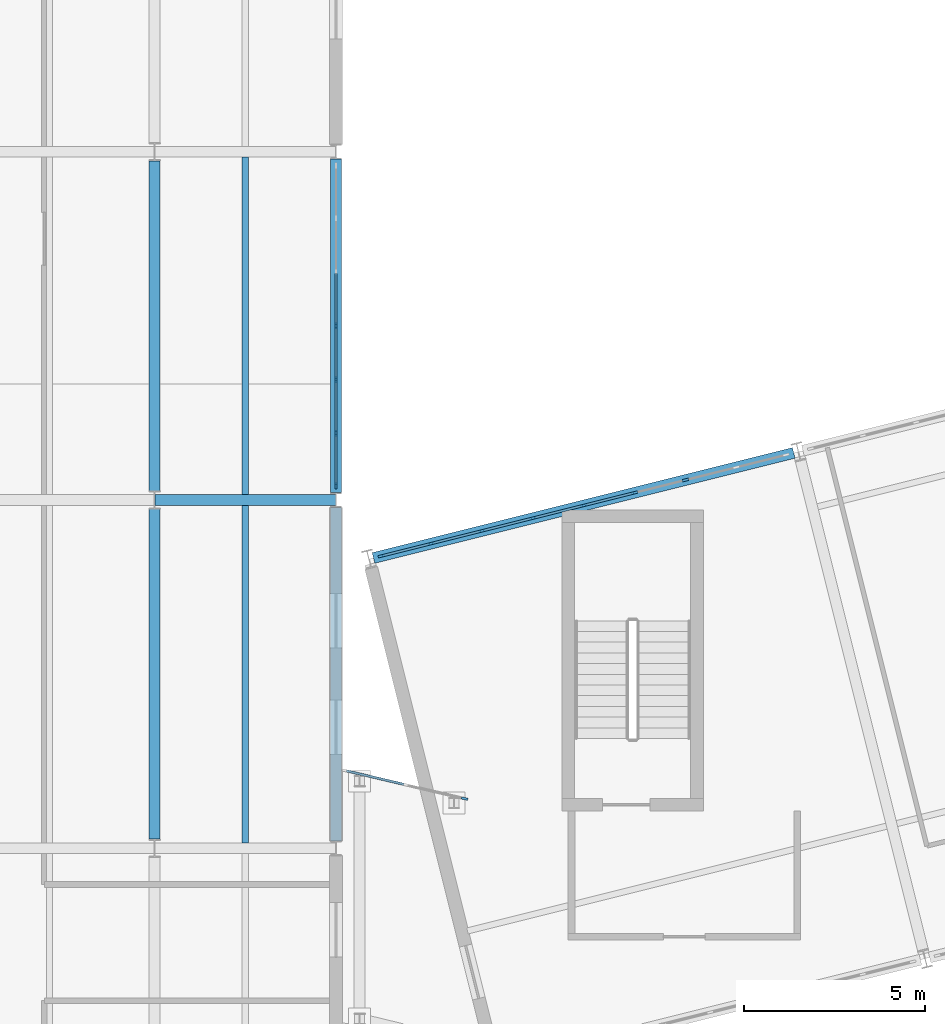
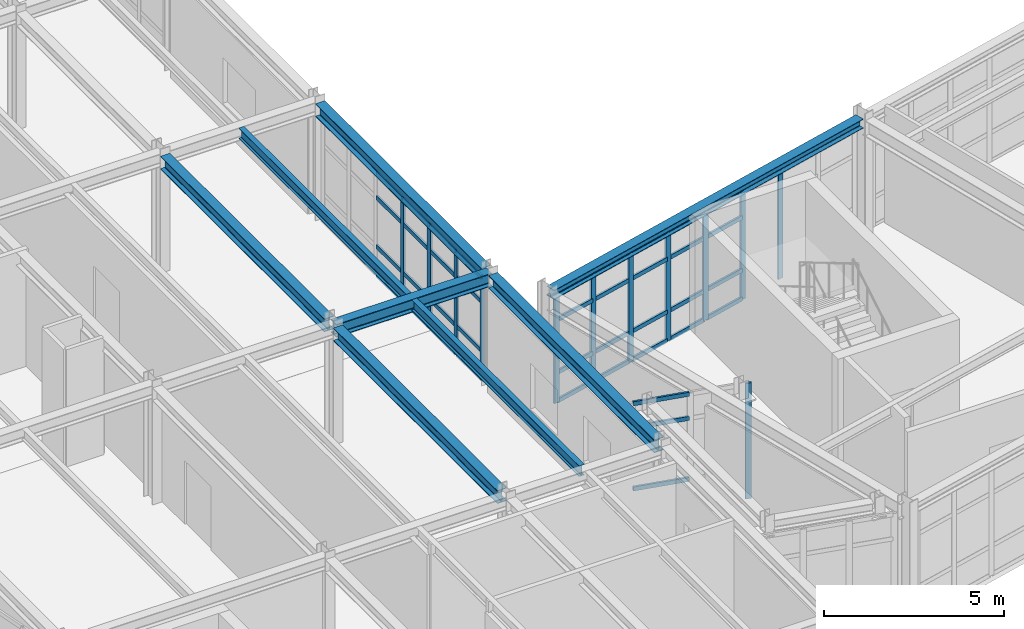
# One storey, part 18 of 88: 51 members, 8 beams, 3 elements without a shape of their own.
"""IFC4 building model written with IfcOpenShell, lengths in metres."""

from ifc_helpers import new_model, si_unit, direction, frame, origin, origin_2d, place, context, subcontext, project, spatial, rectangle, i_section, extrude, material, layer, layer_set, material_profile, profile_set, type_object, element, aggregate, save


model = new_model("IFC4")

# Units and contexts
model_context = context("Model", 3, precision=1e-05, world=origin(), true_north=direction((0.0, 1.0)))
body_context = subcontext(model_context, "Body", "Model", "MODEL_VIEW")
ifc_project = project(units=[si_unit("LENGTHUNIT", "METRE"), si_unit("AREAUNIT", "SQUARE_METRE"), si_unit("VOLUMEUNIT", "CUBIC_METRE"), si_unit("PLANEANGLEUNIT", "RADIAN"), si_unit("MASSUNIT", "GRAM", prefix="KILO")], contexts=[model_context])

# Site, building, storey
site_placement = place(None, origin())
site = spatial("IfcSite", under=ifc_project, at=site_placement, CompositionType="ELEMENT")
building_placement = place(site_placement, origin())
building = spatial("IfcBuilding", under=site, at=building_placement, Name="Nordkorset Police Headquarters", CompositionType="ELEMENT")
storey_placement = place(building_placement, frame((0.0, 0.0, 9.449951171875)))
storey = spatial("IfcBuildingStorey", under=building, at=storey_placement, Name="L02", CompositionType="ELEMENT", Elevation=9.449951171875)

# Beams
ifc_material_1 = material(Name="Steel S355J2", Category="steel")
ifc_material_profile_1 = material_profile(ifc_material_1, i_section(OverallWidth=0.169921875, OverallDepth=0.360107421875, WebThickness=0.008056640625, FlangeThickness=0.0126953125, FilletRadius=0.01806640625, at=origin_2d()), Name="IPE 360")
ifc_profile_set_1 = profile_set([ifc_material_profile_1], Name="Steel S355J2")
beam_type_1 = type_object("IfcBeamType", Name="Beam_IPE_360", PredefinedType="BEAM", material=ifc_profile_set_1)
for number, where, z_axis, x_axis, name in (
    (1, (16.699951171875, 48.14990234375, 3.7900390625), (0.0, 1.0, 0.0), (-1.0, 0.0, 0.0), "Composite Floor Beam V3 L02 2-2-1"),
    (2, (16.699951171875, 57.75, 3.7900390625), (0.0, 1.0, 0.0), (-1.0, 0.0, 0.0), "Composite Floor Beam V3 L02 2-3-1"),
):
    element("IfcBeam", number, at=place(storey_placement, frame(where, z_axis=z_axis, x_axis=x_axis)), inside=storey, type_object=beam_type_1, Name=name, PredefinedType="BEAM", context=body_context, shape_type="SweptSolid", body=[
        extrude(i_section(OverallWidth=0.169921875, OverallDepth=0.360107421875, WebThickness=0.008056640625, FlangeThickness=0.0126953125, FilletRadius=0.01806640625, at=origin_2d()), origin(), (0.0, 0.0, 1.0), 9.300048828125),
    ])

# Curtain wall, members
ifc_material_2 = material(Name="Aluminium alloy AW-6060", Category="aluminium")
ifc_layer_1 = layer(ifc_material_2, 0.179931640625, Name="Aluminium alloy AW-6060")
ifc_layer_set_1 = layer_set([ifc_layer_1], Name="Aluminium alloy AW-6060")
curtain_wall_type_1 = type_object("IfcCurtainWallType", Name="CW_Unit_888x351", PredefinedType="USERDEFINED", material=ifc_layer_set_1)
curtain_wall_1_placement = place(storey_placement, origin())
curtain_wall_1 = element("IfcCurtainWall", 3, at=curtain_wall_1_placement, inside=storey, type_object=curtain_wall_type_1, Name="Unitised Curtain Wall L02 V3E-3", ObjectType="UNITISED CURTAIN WALL", PredefinedType="USERDEFINED")
ifc_material_3 = material(Name="Aluminium alloy AW-6060", Category="aluminium")
ifc_material_profile_2 = material_profile(ifc_material_3, rectangle(XDim=0.06494140625, YDim=0.179931640625, at=origin_2d()), Name="ALU MULL 65x180")
ifc_profile_set_2 = profile_set([ifc_material_profile_2], Name="Aluminium alloy AW-6060")
member_type_1 = type_object("IfcMemberType", Name="CW_Mullion_65x180", PredefinedType="MULLION", material=ifc_profile_set_2)
member_1_placement = place(storey_placement, frame((19.199951171875, 57.992431640625, 0.0), z_axis=(0.0, 0.0, 1.0), x_axis=(-1.0, 0.0, 0.0)))
member_1 = element("IfcMember", 4, at=member_1_placement, type_object=member_type_1, Name="CW-58 mullion 1", PredefinedType="MULLION", context=body_context, shape_type="SweptSolid", body=[
    extrude(rectangle(XDim=0.06494140625, YDim=0.179931640625, at=origin_2d()), origin(), (0.0, 0.0, 1.0), 3.510009765625),
])
member_2_placement = place(storey_placement, frame((19.199951171875, 59.43994140625, 0.0), z_axis=(0.0, 0.0, 1.0), x_axis=(-1.0, 0.0, 0.0)))
member_2 = element("IfcMember", 5, at=member_2_placement, type_object=member_type_1, Name="CW-58 mullion 2", PredefinedType="MULLION", context=body_context, shape_type="SweptSolid", body=[
    extrude(rectangle(XDim=0.06494140625, YDim=0.179931640625, at=origin_2d()), origin(), (0.0, 0.0, 1.0), 3.510009765625),
])
member_3_placement = place(storey_placement, frame((19.199951171875, 60.919921875, 0.0), z_axis=(0.0, 0.0, 1.0), x_axis=(-1.0, 0.0, 0.0)))
member_3 = element("IfcMember", 6, at=member_3_placement, type_object=member_type_1, Name="CW-58 mullion 3", PredefinedType="MULLION", context=body_context, shape_type="SweptSolid", body=[
    extrude(rectangle(XDim=0.06494140625, YDim=0.179931640625, at=origin_2d()), origin(), (0.0, 0.0, 1.0), 3.510009765625),
])
member_4_placement = place(storey_placement, frame((19.199951171875, 62.39990234375, 0.0), z_axis=(0.0, 0.0, 1.0), x_axis=(-1.0, 0.0, 0.0)))
member_4 = element("IfcMember", 7, at=member_4_placement, type_object=member_type_1, Name="CW-58 mullion 4", PredefinedType="MULLION", context=body_context, shape_type="SweptSolid", body=[
    extrude(rectangle(XDim=0.06494140625, YDim=0.179931640625, at=origin_2d()), origin(), (0.0, 0.0, 1.0), 3.510009765625),
])

ifc_material_4 = material(Name="Aluminium alloy AW-6060", Category="aluminium")
ifc_layer_2 = layer(ifc_material_4, 0.179931640625, Name="Aluminium alloy AW-6060")
ifc_layer_set_2 = layer_set([ifc_layer_2], Name="Aluminium alloy AW-6060")
curtain_wall_type_2 = type_object("IfcCurtainWallType", Name="CW_Unit_1156x364", PredefinedType="USERDEFINED", material=ifc_layer_set_2)
curtain_wall_2_placement = place(storey_placement, origin())
curtain_wall_2 = element("IfcCurtainWall", 8, at=curtain_wall_2_placement, inside=storey, type_object=curtain_wall_type_2, Name="Unitised Curtain Wall L02 V4N-0", ObjectType="UNITISED CURTAIN WALL", PredefinedType="USERDEFINED")
member_5_placement = place(storey_placement, frame((20.449462890625, 56.0556640625, 0.0), z_axis=(0.0, 0.0, 1.0), x_axis=(-0.242536235663, 0.970142347489, 0.0)))
member_5 = element("IfcMember", 9, at=member_5_placement, type_object=member_type_1, Name="CW-103 mullion 1", PredefinedType="MULLION", context=body_context, shape_type="SweptSolid", body=[
    extrude(rectangle(XDim=0.06494140625, YDim=0.179931640625, at=origin_2d()), origin(), (0.0, 0.0, 1.0), 3.64013671875),
])
member_6_placement = place(storey_placement, frame((21.81982421875, 56.398193359375, 0.0), z_axis=(0.0, 0.0, 1.0), x_axis=(-0.242536235663, 0.970142347489, 0.0)))
member_6 = element("IfcMember", 10, at=member_6_placement, type_object=member_type_1, Name="CW-103 mullion 2", PredefinedType="MULLION", context=body_context, shape_type="SweptSolid", body=[
    extrude(rectangle(XDim=0.06494140625, YDim=0.179931640625, at=origin_2d()), origin(), (0.0, 0.0, 1.0), 3.64013671875),
])
member_7_placement = place(storey_placement, frame((23.2216796875, 56.74853515625, 0.0), z_axis=(0.0, 0.0, 1.0), x_axis=(-0.242536235663, 0.970142347489, 0.0)))
member_7 = element("IfcMember", 11, at=member_7_placement, type_object=member_type_1, Name="CW-103 mullion 3", PredefinedType="MULLION", context=body_context, shape_type="SweptSolid", body=[
    extrude(rectangle(XDim=0.06494140625, YDim=0.179931640625, at=origin_2d()), origin(), (0.0, 0.0, 1.0), 3.64013671875),
])
member_8_placement = place(storey_placement, frame((24.62353515625, 57.09912109375, 0.0), z_axis=(0.0, 0.0, 1.0), x_axis=(-0.242536235663, 0.970142347489, 0.0)))
member_8 = element("IfcMember", 12, at=member_8_placement, type_object=member_type_1, Name="CW-103 mullion 4", PredefinedType="MULLION", context=body_context, shape_type="SweptSolid", body=[
    extrude(rectangle(XDim=0.06494140625, YDim=0.179931640625, at=origin_2d()), origin(), (0.0, 0.0, 1.0), 3.64013671875),
])
member_9_placement = place(storey_placement, frame((26.025390625, 57.449462890625, 0.0), z_axis=(0.0, 0.0, 1.0), x_axis=(-0.242536235663, 0.970142347489, 0.0)))
member_9 = element("IfcMember", 13, at=member_9_placement, type_object=member_type_1, Name="CW-103 mullion 5", PredefinedType="MULLION", context=body_context, shape_type="SweptSolid", body=[
    extrude(rectangle(XDim=0.06494140625, YDim=0.179931640625, at=origin_2d()), origin(), (0.0, 0.0, 1.0), 3.64013671875),
])
member_10_placement = place(storey_placement, frame((27.42724609375, 57.800048828125, 0.0), z_axis=(0.0, 0.0, 1.0), x_axis=(-0.242536235663, 0.970142347489, 0.0)))
member_10 = element("IfcMember", 14, at=member_10_placement, type_object=member_type_1, Name="CW-103 mullion 6", PredefinedType="MULLION", context=body_context, shape_type="SweptSolid", body=[
    extrude(rectangle(XDim=0.06494140625, YDim=0.179931640625, at=origin_2d()), origin(), (0.0, 0.0, 1.0), 3.64013671875),
])
member_11_placement = place(storey_placement, frame((28.8291015625, 58.150390625, 0.0), z_axis=(0.0, 0.0, 1.0), x_axis=(-0.242536235663, 0.970142347489, 0.0)))
member_11 = element("IfcMember", 15, at=member_11_placement, type_object=member_type_1, Name="CW-103 mullion 7", PredefinedType="MULLION", context=body_context, shape_type="SweptSolid", body=[
    extrude(rectangle(XDim=0.06494140625, YDim=0.179931640625, at=origin_2d()), origin(), (0.0, 0.0, 1.0), 3.64013671875),
])

# Curtain wall, member
ifc_material_5 = material(Name="Aluminium alloy AW-6060", Category="aluminium")
ifc_layer_3 = layer(ifc_material_5, 0.179931640625, Name="Aluminium alloy AW-6060")
ifc_layer_set_3 = layer_set([ifc_layer_3], Name="Aluminium alloy AW-6060")
curtain_wall_type_3 = type_object("IfcCurtainWallType", Name="CW_Unit_344x392", PredefinedType="USERDEFINED", material=ifc_layer_set_3)
curtain_wall_3_placement = place(storey_placement, origin())
curtain_wall_3 = element("IfcCurtainWall", 16, at=curtain_wall_3_placement, inside=storey, type_object=curtain_wall_type_3, Name="Unitised Curtain Wall L02 BRGW-N", ObjectType="UNITISED CURTAIN WALL", PredefinedType="USERDEFINED")
member_12_placement = place(storey_placement, frame((22.7431640625, 49.36865234375, 0.0), z_axis=(0.0, 0.0, 1.0), x_axis=(0.228892896387, 0.973451612554, 0.0)))
member_12 = element("IfcMember", 17, at=member_12_placement, type_object=member_type_1, Name="CW-51 mullion 3", PredefinedType="MULLION", context=body_context, shape_type="SweptSolid", body=[
    extrude(rectangle(XDim=0.06494140625, YDim=0.179931640625, at=origin_2d()), origin(), (0.0, 0.0, 1.0), 3.920166015625),
])

# Member
ifc_material_6 = material(Name="Aluminium alloy AW-6060", Category="aluminium")
ifc_material_profile_3 = material_profile(ifc_material_6, rectangle(XDim=0.06494140625, YDim=0.139892578125, at=origin_2d()), Name="ALU TRAN 65x140")
ifc_profile_set_3 = profile_set([ifc_material_profile_3], Name="Aluminium alloy AW-6060")
member_type_2 = type_object("IfcMemberType", Name="CW_Transom_65x140", PredefinedType="USERDEFINED", material=ifc_profile_set_3)
member_13_placement = place(storey_placement, frame((19.199951171875, 58.02490234375, 0.032470703125), z_axis=(0.0, 1.0, 0.0), x_axis=(-1.0, 0.0, 0.0)))
member_13 = element("IfcMember", 18, at=member_13_placement, type_object=member_type_2, Name="CW-58 transom 1.1", ObjectType="TRANSOM", PredefinedType="USERDEFINED", context=body_context, shape_type="SweptSolid", body=[
    extrude(rectangle(XDim=0.06494140625, YDim=0.139892578125, at=origin_2d()), origin(), (0.0, 0.0, 1.0), 1.382568359375),
])

member_14_placement = place(storey_placement, frame((19.199951171875, 58.02490234375, 1.0), z_axis=(0.0, 1.0, 0.0), x_axis=(-1.0, 0.0, 0.0)))
member_14 = element("IfcMember", 19, at=member_14_placement, type_object=member_type_2, Name="CW-58 transom 1.2", ObjectType="TRANSOM", PredefinedType="USERDEFINED", context=body_context, shape_type="SweptSolid", body=[
    extrude(rectangle(XDim=0.06494140625, YDim=0.139892578125, at=origin_2d()), origin(), (0.0, 0.0, 1.0), 1.382568359375),
])

member_15_placement = place(storey_placement, frame((19.199951171875, 58.02490234375, 2.66015625), z_axis=(0.0, 1.0, 0.0), x_axis=(-1.0, 0.0, 0.0)))
member_15 = element("IfcMember", 20, at=member_15_placement, type_object=member_type_2, Name="CW-58 transom 1.3", ObjectType="TRANSOM", PredefinedType="USERDEFINED", context=body_context, shape_type="SweptSolid", body=[
    extrude(rectangle(XDim=0.06494140625, YDim=0.139892578125, at=origin_2d()), origin(), (0.0, 0.0, 1.0), 1.382568359375),
])

member_16_placement = place(storey_placement, frame((19.199951171875, 58.02490234375, 3.4775390625), z_axis=(0.0, 1.0, 0.0), x_axis=(-1.0, 0.0, 0.0)))
member_16 = element("IfcMember", 21, at=member_16_placement, type_object=member_type_2, Name="CW-58 transom 1.4", ObjectType="TRANSOM", PredefinedType="USERDEFINED", context=body_context, shape_type="SweptSolid", body=[
    extrude(rectangle(XDim=0.06494140625, YDim=0.139892578125, at=origin_2d()), origin(), (0.0, 0.0, 1.0), 1.382568359375),
])

member_17_placement = place(storey_placement, frame((19.199951171875, 59.472412109375, 0.032470703125), z_axis=(0.0, 1.0, 0.0), x_axis=(-1.0, 0.0, 0.0)))
member_17 = element("IfcMember", 22, at=member_17_placement, type_object=member_type_2, Name="CW-58 transom 2.1", ObjectType="TRANSOM", PredefinedType="USERDEFINED", context=body_context, shape_type="SweptSolid", body=[
    extrude(rectangle(XDim=0.06494140625, YDim=0.139892578125, at=origin_2d()), origin(), (0.0, 0.0, 1.0), 1.4150390625),
])

member_18_placement = place(storey_placement, frame((19.199951171875, 59.472412109375, 1.0), z_axis=(0.0, 1.0, 0.0), x_axis=(-1.0, 0.0, 0.0)))
member_18 = element("IfcMember", 23, at=member_18_placement, type_object=member_type_2, Name="CW-58 transom 2.2", ObjectType="TRANSOM", PredefinedType="USERDEFINED", context=body_context, shape_type="SweptSolid", body=[
    extrude(rectangle(XDim=0.06494140625, YDim=0.139892578125, at=origin_2d()), origin(), (0.0, 0.0, 1.0), 1.4150390625),
])

member_19_placement = place(storey_placement, frame((19.199951171875, 59.472412109375, 2.66015625), z_axis=(0.0, 1.0, 0.0), x_axis=(-1.0, 0.0, 0.0)))
member_19 = element("IfcMember", 24, at=member_19_placement, type_object=member_type_2, Name="CW-58 transom 2.3", ObjectType="TRANSOM", PredefinedType="USERDEFINED", context=body_context, shape_type="SweptSolid", body=[
    extrude(rectangle(XDim=0.06494140625, YDim=0.139892578125, at=origin_2d()), origin(), (0.0, 0.0, 1.0), 1.4150390625),
])

member_20_placement = place(storey_placement, frame((19.199951171875, 59.472412109375, 3.4775390625), z_axis=(0.0, 1.0, 0.0), x_axis=(-1.0, 0.0, 0.0)))
member_20 = element("IfcMember", 25, at=member_20_placement, type_object=member_type_2, Name="CW-58 transom 2.4", ObjectType="TRANSOM", PredefinedType="USERDEFINED", context=body_context, shape_type="SweptSolid", body=[
    extrude(rectangle(XDim=0.06494140625, YDim=0.139892578125, at=origin_2d()), origin(), (0.0, 0.0, 1.0), 1.4150390625),
])

member_21_placement = place(storey_placement, frame((19.199951171875, 60.952392578125, 0.032470703125), z_axis=(0.0, 1.0, 0.0), x_axis=(-1.0, 0.0, 0.0)))
member_21 = element("IfcMember", 26, at=member_21_placement, type_object=member_type_2, Name="CW-58 transom 3.1", ObjectType="TRANSOM", PredefinedType="USERDEFINED", context=body_context, shape_type="SweptSolid", body=[
    extrude(rectangle(XDim=0.06494140625, YDim=0.139892578125, at=origin_2d()), origin(), (0.0, 0.0, 1.0), 1.4150390625),
])

member_22_placement = place(storey_placement, frame((19.199951171875, 60.952392578125, 1.0), z_axis=(0.0, 1.0, 0.0), x_axis=(-1.0, 0.0, 0.0)))
member_22 = element("IfcMember", 27, at=member_22_placement, type_object=member_type_2, Name="CW-58 transom 3.2", ObjectType="TRANSOM", PredefinedType="USERDEFINED", context=body_context, shape_type="SweptSolid", body=[
    extrude(rectangle(XDim=0.06494140625, YDim=0.139892578125, at=origin_2d()), origin(), (0.0, 0.0, 1.0), 1.4150390625),
])

member_23_placement = place(storey_placement, frame((19.199951171875, 60.952392578125, 2.66015625), z_axis=(0.0, 1.0, 0.0), x_axis=(-1.0, 0.0, 0.0)))
member_23 = element("IfcMember", 28, at=member_23_placement, type_object=member_type_2, Name="CW-58 transom 3.3", ObjectType="TRANSOM", PredefinedType="USERDEFINED", context=body_context, shape_type="SweptSolid", body=[
    extrude(rectangle(XDim=0.06494140625, YDim=0.139892578125, at=origin_2d()), origin(), (0.0, 0.0, 1.0), 1.4150390625),
])

member_24_placement = place(storey_placement, frame((19.199951171875, 60.952392578125, 3.4775390625), z_axis=(0.0, 1.0, 0.0), x_axis=(-1.0, 0.0, 0.0)))
member_24 = element("IfcMember", 29, at=member_24_placement, type_object=member_type_2, Name="CW-58 transom 3.4", ObjectType="TRANSOM", PredefinedType="USERDEFINED", context=body_context, shape_type="SweptSolid", body=[
    extrude(rectangle(XDim=0.06494140625, YDim=0.139892578125, at=origin_2d()), origin(), (0.0, 0.0, 1.0), 1.4150390625),
])

member_25_placement = place(storey_placement, frame((19.199951171875, 62.4326171875, 0.032470703125), z_axis=(0.0, 1.0, 0.0), x_axis=(-1.0, 0.0, 0.0)))
member_25 = element("IfcMember", 30, at=member_25_placement, type_object=member_type_2, Name="CW-58 transom 4.1", ObjectType="TRANSOM", PredefinedType="USERDEFINED", context=body_context, shape_type="SweptSolid", body=[
    extrude(rectangle(XDim=0.06494140625, YDim=0.139892578125, at=origin_2d()), origin(), (0.0, 0.0, 1.0), 1.414794921875),
])

member_26_placement = place(storey_placement, frame((19.199951171875, 62.4326171875, 1.0), z_axis=(0.0, 1.0, 0.0), x_axis=(-1.0, 0.0, 0.0)))
member_26 = element("IfcMember", 31, at=member_26_placement, type_object=member_type_2, Name="CW-58 transom 4.2", ObjectType="TRANSOM", PredefinedType="USERDEFINED", context=body_context, shape_type="SweptSolid", body=[
    extrude(rectangle(XDim=0.06494140625, YDim=0.139892578125, at=origin_2d()), origin(), (0.0, 0.0, 1.0), 1.414794921875),
])

member_27_placement = place(storey_placement, frame((19.199951171875, 62.4326171875, 2.66015625), z_axis=(0.0, 1.0, 0.0), x_axis=(-1.0, 0.0, 0.0)))
member_27 = element("IfcMember", 32, at=member_27_placement, type_object=member_type_2, Name="CW-58 transom 4.3", ObjectType="TRANSOM", PredefinedType="USERDEFINED", context=body_context, shape_type="SweptSolid", body=[
    extrude(rectangle(XDim=0.06494140625, YDim=0.139892578125, at=origin_2d()), origin(), (0.0, 0.0, 1.0), 1.414794921875),
])

member_28_placement = place(storey_placement, frame((19.199951171875, 62.4326171875, 3.4775390625), z_axis=(0.0, 1.0, 0.0), x_axis=(-1.0, 0.0, 0.0)))
member_28 = element("IfcMember", 33, at=member_28_placement, type_object=member_type_2, Name="CW-58 transom 4.4", ObjectType="TRANSOM", PredefinedType="USERDEFINED", context=body_context, shape_type="SweptSolid", body=[
    extrude(rectangle(XDim=0.06494140625, YDim=0.139892578125, at=origin_2d()), origin(), (0.0, 0.0, 1.0), 1.414794921875),
])

aggregate(curtain_wall_1, [member_1, member_2, member_3, member_4, member_13, member_14, member_15, member_16, member_17, member_18, member_19, member_20, member_21, member_22, member_23, member_24, member_25, member_26, member_27, member_28])

member_29_placement = place(storey_placement, frame((20.48095703125, 56.0634765625, 0.032470703125), z_axis=(0.970174463193, 0.242407737022, 0.0), x_axis=(-0.242407737022, 0.970174463193, 0.0)))
member_29 = element("IfcMember", 34, at=member_29_placement, type_object=member_type_2, Name="CW-103 transom 1.1", ObjectType="TRANSOM", PredefinedType="USERDEFINED", context=body_context, shape_type="SweptSolid", body=[
    extrude(rectangle(XDim=0.06494140625, YDim=0.139892578125, at=origin_2d()), origin(), (0.0, 0.0, 1.0), 1.34765625),
])

member_30_placement = place(storey_placement, frame((20.48095703125, 56.0634765625, 1.0), z_axis=(0.970174463193, 0.242407737022, 0.0), x_axis=(-0.242407737022, 0.970174463193, 0.0)))
member_30 = element("IfcMember", 35, at=member_30_placement, type_object=member_type_2, Name="CW-103 transom 1.2", ObjectType="TRANSOM", PredefinedType="USERDEFINED", context=body_context, shape_type="SweptSolid", body=[
    extrude(rectangle(XDim=0.06494140625, YDim=0.139892578125, at=origin_2d()), origin(), (0.0, 0.0, 1.0), 1.34765625),
])

member_31_placement = place(storey_placement, frame((20.48095703125, 56.0634765625, 2.7900390625), z_axis=(0.970174463193, 0.242407737022, 0.0), x_axis=(-0.242407737022, 0.970174463193, 0.0)))
member_31 = element("IfcMember", 36, at=member_31_placement, type_object=member_type_2, Name="CW-103 transom 1.3", ObjectType="TRANSOM", PredefinedType="USERDEFINED", context=body_context, shape_type="SweptSolid", body=[
    extrude(rectangle(XDim=0.06494140625, YDim=0.139892578125, at=origin_2d()), origin(), (0.0, 0.0, 1.0), 1.34765625),
])

member_32_placement = place(storey_placement, frame((20.48095703125, 56.0634765625, 3.607666015625), z_axis=(0.970174463193, 0.242407737022, 0.0), x_axis=(-0.242407737022, 0.970174463193, 0.0)))
member_32 = element("IfcMember", 37, at=member_32_placement, type_object=member_type_2, Name="CW-103 transom 1.4", ObjectType="TRANSOM", PredefinedType="USERDEFINED", context=body_context, shape_type="SweptSolid", body=[
    extrude(rectangle(XDim=0.06494140625, YDim=0.139892578125, at=origin_2d()), origin(), (0.0, 0.0, 1.0), 1.34765625),
])

member_33_placement = place(storey_placement, frame((21.851318359375, 56.406005859375, 0.032470703125), z_axis=(0.970142500145, 0.242535625036, 0.0), x_axis=(-0.242535625036, 0.970142500145, 0.0)))
member_33 = element("IfcMember", 38, at=member_33_placement, type_object=member_type_2, Name="CW-103 transom 2.1", ObjectType="TRANSOM", PredefinedType="USERDEFINED", context=body_context, shape_type="SweptSolid", body=[
    extrude(rectangle(XDim=0.06494140625, YDim=0.139892578125, at=origin_2d()), origin(), (0.0, 0.0, 1.0), 1.380126953125),
])

member_34_placement = place(storey_placement, frame((21.851318359375, 56.406005859375, 1.0), z_axis=(0.970142500145, 0.242535625036, 0.0), x_axis=(-0.242535625036, 0.970142500145, 0.0)))
member_34 = element("IfcMember", 39, at=member_34_placement, type_object=member_type_2, Name="CW-103 transom 2.2", ObjectType="TRANSOM", PredefinedType="USERDEFINED", context=body_context, shape_type="SweptSolid", body=[
    extrude(rectangle(XDim=0.06494140625, YDim=0.139892578125, at=origin_2d()), origin(), (0.0, 0.0, 1.0), 1.380126953125),
])

member_35_placement = place(storey_placement, frame((21.851318359375, 56.406005859375, 2.7900390625), z_axis=(0.970142500145, 0.242535625036, 0.0), x_axis=(-0.242535625036, 0.970142500145, 0.0)))
member_35 = element("IfcMember", 40, at=member_35_placement, type_object=member_type_2, Name="CW-103 transom 2.3", ObjectType="TRANSOM", PredefinedType="USERDEFINED", context=body_context, shape_type="SweptSolid", body=[
    extrude(rectangle(XDim=0.06494140625, YDim=0.139892578125, at=origin_2d()), origin(), (0.0, 0.0, 1.0), 1.380126953125),
])

member_36_placement = place(storey_placement, frame((21.851318359375, 56.406005859375, 3.607666015625), z_axis=(0.970142500145, 0.242535625036, 0.0), x_axis=(-0.242535625036, 0.970142500145, 0.0)))
member_36 = element("IfcMember", 41, at=member_36_placement, type_object=member_type_2, Name="CW-103 transom 2.4", ObjectType="TRANSOM", PredefinedType="USERDEFINED", context=body_context, shape_type="SweptSolid", body=[
    extrude(rectangle(XDim=0.06494140625, YDim=0.139892578125, at=origin_2d()), origin(), (0.0, 0.0, 1.0), 1.380126953125),
])

member_37_placement = place(storey_placement, frame((23.253173828125, 56.756591796875, 0.032470703125), z_axis=(0.970184112154, 0.242369116275, 0.0), x_axis=(-0.242369116275, 0.970184112154, 0.0)))
member_37 = element("IfcMember", 42, at=member_37_placement, type_object=member_type_2, Name="CW-103 transom 3.1", ObjectType="TRANSOM", PredefinedType="USERDEFINED", context=body_context, shape_type="SweptSolid", body=[
    extrude(rectangle(XDim=0.06494140625, YDim=0.139892578125, at=origin_2d()), origin(), (0.0, 0.0, 1.0), 1.380126953125),
])

member_38_placement = place(storey_placement, frame((23.253173828125, 56.756591796875, 1.0), z_axis=(0.970184112154, 0.242369116275, 0.0), x_axis=(-0.242369116275, 0.970184112154, 0.0)))
member_38 = element("IfcMember", 43, at=member_38_placement, type_object=member_type_2, Name="CW-103 transom 3.2", ObjectType="TRANSOM", PredefinedType="USERDEFINED", context=body_context, shape_type="SweptSolid", body=[
    extrude(rectangle(XDim=0.06494140625, YDim=0.139892578125, at=origin_2d()), origin(), (0.0, 0.0, 1.0), 1.380126953125),
])

member_39_placement = place(storey_placement, frame((23.253173828125, 56.756591796875, 2.7900390625), z_axis=(0.970184112154, 0.242369116275, 0.0), x_axis=(-0.242369116275, 0.970184112154, 0.0)))
member_39 = element("IfcMember", 44, at=member_39_placement, type_object=member_type_2, Name="CW-103 transom 3.3", ObjectType="TRANSOM", PredefinedType="USERDEFINED", context=body_context, shape_type="SweptSolid", body=[
    extrude(rectangle(XDim=0.06494140625, YDim=0.139892578125, at=origin_2d()), origin(), (0.0, 0.0, 1.0), 1.380126953125),
])

member_40_placement = place(storey_placement, frame((23.253173828125, 56.756591796875, 3.607666015625), z_axis=(0.970184112154, 0.242369116275, 0.0), x_axis=(-0.242369116275, 0.970184112154, 0.0)))
member_40 = element("IfcMember", 45, at=member_40_placement, type_object=member_type_2, Name="CW-103 transom 3.4", ObjectType="TRANSOM", PredefinedType="USERDEFINED", context=body_context, shape_type="SweptSolid", body=[
    extrude(rectangle(XDim=0.06494140625, YDim=0.139892578125, at=origin_2d()), origin(), (0.0, 0.0, 1.0), 1.380126953125),
])

member_41_placement = place(storey_placement, frame((24.655029296875, 57.10693359375, 0.032470703125), z_axis=(0.970142500145, 0.242535625036, 0.0), x_axis=(-0.242535625036, 0.970142500145, 0.0)))
member_41 = element("IfcMember", 46, at=member_41_placement, type_object=member_type_2, Name="CW-103 transom 4.1", ObjectType="TRANSOM", PredefinedType="USERDEFINED", context=body_context, shape_type="SweptSolid", body=[
    extrude(rectangle(XDim=0.06494140625, YDim=0.139892578125, at=origin_2d()), origin(), (0.0, 0.0, 1.0), 1.380126953125),
])

member_42_placement = place(storey_placement, frame((24.655029296875, 57.10693359375, 1.0), z_axis=(0.970142500145, 0.242535625036, 0.0), x_axis=(-0.242535625036, 0.970142500145, 0.0)))
member_42 = element("IfcMember", 47, at=member_42_placement, type_object=member_type_2, Name="CW-103 transom 4.2", ObjectType="TRANSOM", PredefinedType="USERDEFINED", context=body_context, shape_type="SweptSolid", body=[
    extrude(rectangle(XDim=0.06494140625, YDim=0.139892578125, at=origin_2d()), origin(), (0.0, 0.0, 1.0), 1.380126953125),
])

member_43_placement = place(storey_placement, frame((24.655029296875, 57.10693359375, 2.7900390625), z_axis=(0.970142500145, 0.242535625036, 0.0), x_axis=(-0.242535625036, 0.970142500145, 0.0)))
member_43 = element("IfcMember", 48, at=member_43_placement, type_object=member_type_2, Name="CW-103 transom 4.3", ObjectType="TRANSOM", PredefinedType="USERDEFINED", context=body_context, shape_type="SweptSolid", body=[
    extrude(rectangle(XDim=0.06494140625, YDim=0.139892578125, at=origin_2d()), origin(), (0.0, 0.0, 1.0), 1.380126953125),
])

member_44_placement = place(storey_placement, frame((24.655029296875, 57.10693359375, 3.607666015625), z_axis=(0.970142500145, 0.242535625036, 0.0), x_axis=(-0.242535625036, 0.970142500145, 0.0)))
member_44 = element("IfcMember", 49, at=member_44_placement, type_object=member_type_2, Name="CW-103 transom 4.4", ObjectType="TRANSOM", PredefinedType="USERDEFINED", context=body_context, shape_type="SweptSolid", body=[
    extrude(rectangle(XDim=0.06494140625, YDim=0.139892578125, at=origin_2d()), origin(), (0.0, 0.0, 1.0), 1.380126953125),
])

member_45_placement = place(storey_placement, frame((26.056884765625, 57.45751953125, 0.032470703125), z_axis=(0.970184112154, 0.242369116275, 0.0), x_axis=(-0.242369116275, 0.970184112154, 0.0)))
member_45 = element("IfcMember", 50, at=member_45_placement, type_object=member_type_2, Name="CW-103 transom 5.1", ObjectType="TRANSOM", PredefinedType="USERDEFINED", context=body_context, shape_type="SweptSolid", body=[
    extrude(rectangle(XDim=0.06494140625, YDim=0.139892578125, at=origin_2d()), origin(), (0.0, 0.0, 1.0), 1.380126953125),
])

member_46_placement = place(storey_placement, frame((26.056884765625, 57.45751953125, 1.0), z_axis=(0.970184112154, 0.242369116275, 0.0), x_axis=(-0.242369116275, 0.970184112154, 0.0)))
member_46 = element("IfcMember", 51, at=member_46_placement, type_object=member_type_2, Name="CW-103 transom 5.2", ObjectType="TRANSOM", PredefinedType="USERDEFINED", context=body_context, shape_type="SweptSolid", body=[
    extrude(rectangle(XDim=0.06494140625, YDim=0.139892578125, at=origin_2d()), origin(), (0.0, 0.0, 1.0), 1.380126953125),
])

member_47_placement = place(storey_placement, frame((26.056884765625, 57.45751953125, 2.7900390625), z_axis=(0.970184112154, 0.242369116275, 0.0), x_axis=(-0.242369116275, 0.970184112154, 0.0)))
member_47 = element("IfcMember", 52, at=member_47_placement, type_object=member_type_2, Name="CW-103 transom 5.3", ObjectType="TRANSOM", PredefinedType="USERDEFINED", context=body_context, shape_type="SweptSolid", body=[
    extrude(rectangle(XDim=0.06494140625, YDim=0.139892578125, at=origin_2d()), origin(), (0.0, 0.0, 1.0), 1.380126953125),
])

member_48_placement = place(storey_placement, frame((26.056884765625, 57.45751953125, 3.607666015625), z_axis=(0.970184112154, 0.242369116275, 0.0), x_axis=(-0.242369116275, 0.970184112154, 0.0)))
member_48 = element("IfcMember", 53, at=member_48_placement, type_object=member_type_2, Name="CW-103 transom 5.4", ObjectType="TRANSOM", PredefinedType="USERDEFINED", context=body_context, shape_type="SweptSolid", body=[
    extrude(rectangle(XDim=0.06494140625, YDim=0.139892578125, at=origin_2d()), origin(), (0.0, 0.0, 1.0), 1.380126953125),
])

aggregate(curtain_wall_2, [member_5, member_6, member_7, member_8, member_9, member_10, member_11, member_29, member_30, member_31, member_32, member_33, member_34, member_35, member_36, member_37, member_38, member_39, member_40, member_41, member_42, member_43, member_44, member_45, member_46, member_47, member_48])

member_49_placement = place(storey_placement, frame((19.488525390625, 50.134033203125, 1.0), z_axis=(0.973436893335, -0.228955486271, 0.0), x_axis=(0.228955486271, 0.973436893335, 0.0)))
member_49 = element("IfcMember", 54, at=member_49_placement, type_object=member_type_2, Name="CW-51 transom 1.2", ObjectType="TRANSOM", PredefinedType="USERDEFINED", context=body_context, shape_type="SweptSolid", body=[
    extrude(rectangle(XDim=0.06494140625, YDim=0.139892578125, at=origin_2d()), origin(), (0.0, 0.0, 1.0), 1.623046875),
])

member_50_placement = place(storey_placement, frame((19.488525390625, 50.134033203125, 3.070068359375), z_axis=(0.973436893335, -0.228955486271, 0.0), x_axis=(0.228955486271, 0.973436893335, 0.0)))
member_50 = element("IfcMember", 55, at=member_50_placement, type_object=member_type_2, Name="CW-51 transom 1.3", ObjectType="TRANSOM", PredefinedType="USERDEFINED", context=body_context, shape_type="SweptSolid", body=[
    extrude(rectangle(XDim=0.06494140625, YDim=0.139892578125, at=origin_2d()), origin(), (0.0, 0.0, 1.0), 1.623046875),
])

member_51_placement = place(storey_placement, frame((19.488525390625, 50.134033203125, 3.887451171875), z_axis=(0.973436893335, -0.228955486271, 0.0), x_axis=(0.228955486271, 0.973436893335, 0.0)))
member_51 = element("IfcMember", 56, at=member_51_placement, type_object=member_type_2, Name="CW-51 transom 1.4", ObjectType="TRANSOM", PredefinedType="USERDEFINED", context=body_context, shape_type="SweptSolid", body=[
    extrude(rectangle(XDim=0.06494140625, YDim=0.139892578125, at=origin_2d()), origin(), (0.0, 0.0, 1.0), 1.623046875),
])

aggregate(curtain_wall_3, [member_12, member_49, member_50, member_51])

# Beams
ifc_material_7 = material(Name="Steel S355J2", Category="steel")
ifc_material_profile_4 = material_profile(ifc_material_7, i_section(OverallWidth=0.300048828125, OverallDepth=0.43994140625, WebThickness=0.011474609375, FlangeThickness=0.02099609375, FilletRadius=0.027099609375, at=origin_2d()), Name="HEA 450")
ifc_profile_set_4 = profile_set([ifc_material_profile_4], Name="Steel S355J2")
beam_type_2 = type_object("IfcBeamType", Name="Girder_HEA_450", PredefinedType="USERDEFINED", material=ifc_profile_set_4)
beam_1_placement = place(storey_placement, frame((14.207275390625, 57.60009765625, 3.75), z_axis=(1.0, 0.0, 0.0), x_axis=(0.0, 1.0, 0.0)))
element("IfcBeam", 57, at=beam_1_placement, inside=storey, type_object=beam_type_2, Name="Girder V3 L02 GX-3-2", ObjectType="GIRDER", PredefinedType="USERDEFINED", context=body_context, shape_type="SweptSolid", body=[
    extrude(i_section(OverallWidth=0.300048828125, OverallDepth=0.43994140625, WebThickness=0.011474609375, FlangeThickness=0.02099609375, FilletRadius=0.027099609375, at=origin_2d()), origin(), (0.0, 0.0, 1.0), 4.986083984375),
])
beam_2_placement = place(storey_placement, frame((14.199951171875, 48.25, 3.75), z_axis=(0.0, 1.0, 0.0), x_axis=(-1.0, 0.0, 0.0)))
element("IfcBeam", 58, at=beam_2_placement, inside=storey, type_object=beam_type_2, Name="Girder V3 L02 GY-2-2", ObjectType="GIRDER", PredefinedType="USERDEFINED", context=body_context, shape_type="SweptSolid", body=[
    extrude(i_section(OverallWidth=0.300048828125, OverallDepth=0.43994140625, WebThickness=0.011474609375, FlangeThickness=0.02099609375, FilletRadius=0.027099609375, at=origin_2d()), origin(), (0.0, 0.0, 1.0), 9.10009765625),
])
beam_3_placement = place(storey_placement, frame((14.199951171875, 57.85009765625, 3.75), z_axis=(0.0, 1.0, 0.0), x_axis=(-1.0, 0.0, 0.0)))
element("IfcBeam", 59, at=beam_3_placement, inside=storey, type_object=beam_type_2, Name="Girder V3 L02 GY-2-3", ObjectType="GIRDER", PredefinedType="USERDEFINED", context=body_context, shape_type="SweptSolid", body=[
    extrude(i_section(OverallWidth=0.300048828125, OverallDepth=0.43994140625, WebThickness=0.011474609375, FlangeThickness=0.02099609375, FilletRadius=0.027099609375, at=origin_2d()), origin(), (0.0, 0.0, 1.0), 9.099853515625),
])
for number, where, z_axis, x_axis, name in (
    (60, (19.199951171875, 48.199951171875, 3.75), (0.0, 1.0, 0.0), (-1.0, 0.0, 0.0), "Girder V3 L02 GY-3-2"),
    (61, (19.199951171875, 57.800048828125, 3.75), (0.0, 1.0, 0.0), (-1.0, 0.0, 0.0), "Girder V3 L02 GY-3-3"),
):
    element("IfcBeam", number, at=place(storey_placement, frame(where, z_axis=z_axis, x_axis=x_axis)), inside=storey, type_object=beam_type_2, Name=name, ObjectType="GIRDER", PredefinedType="USERDEFINED", context=body_context, shape_type="SweptSolid", body=[
        extrude(i_section(OverallWidth=0.300048828125, OverallDepth=0.43994140625, WebThickness=0.011474609375, FlangeThickness=0.02099609375, FilletRadius=0.027099609375, at=origin_2d()), origin(), (0.0, 0.0, 1.0), 9.199951171875),
    ])
ifc_material_8 = material(Name="Steel S355J2", Category="steel")
ifc_material_profile_5 = material_profile(ifc_material_8, i_section(OverallWidth=0.300048828125, OverallDepth=0.31005859375, WebThickness=0.009033203125, FlangeThickness=0.015380859375, FilletRadius=0.027099609375, at=origin_2d()), Name="HEA 320")
ifc_profile_set_5 = profile_set([ifc_material_profile_5], Name="Steel S355J2")
beam_type_3 = type_object("IfcBeamType", Name="Spandrel_HEA_320", PredefinedType="SPANDREL", material=ifc_profile_set_5)
beam_4_placement = place(storey_placement, frame((20.233642578125, 56.00146484375, 3.81494140625), z_axis=(0.970140094539, 0.242545247258, 0.0), x_axis=(-0.242545247258, 0.970140094539, 0.0)))
element("IfcBeam", 62, at=beam_4_placement, inside=storey, type_object=beam_type_3, Name="Splayed Wing Spandrel L02 0-1", PredefinedType="SPANDREL", context=body_context, shape_type="SweptSolid", body=[
    extrude(i_section(OverallWidth=0.300048828125, OverallDepth=0.31005859375, WebThickness=0.009033203125, FlangeThickness=0.015380859375, FilletRadius=0.027099609375, at=origin_2d()), origin(), (0.0, 0.0, 1.0), 11.93994140625),
])

save(model, "model.ifc")
